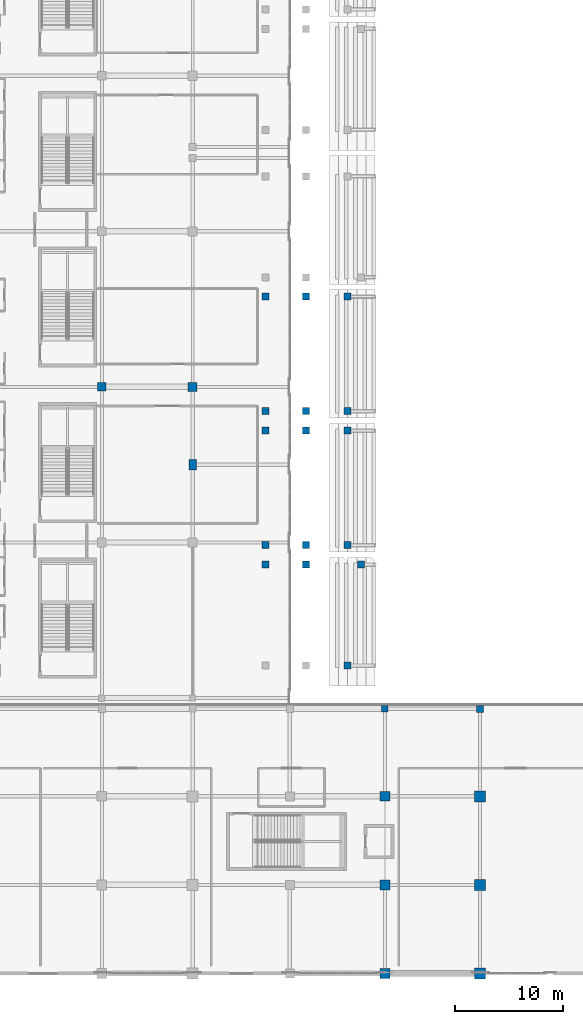
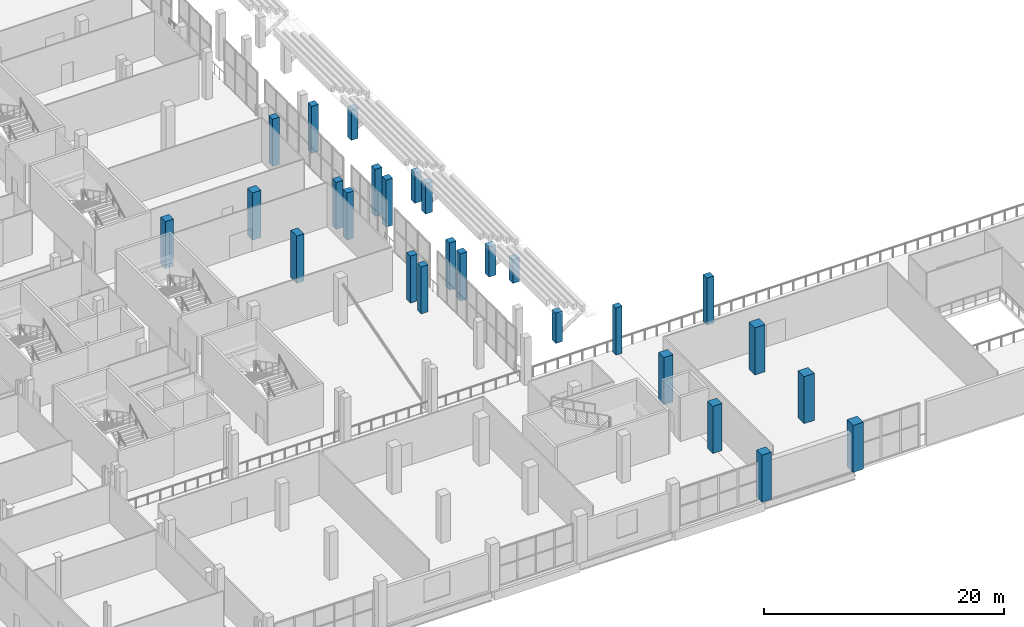
# One storey, part 4 of 142: 27 columns.
"""IFC4 building model written with IfcOpenShell, lengths in metres."""

from ifc_helpers import new_model, si_unit, direction, frame, origin, origin_2d, place, context, subcontext, project, spatial, rectangle, extrude, material, material_profile, profile_set, type_object, element, save


model = new_model("IFC4")

# Units and contexts
model_context = context("Model", 3, precision=1e-05, world=origin(), true_north=direction((0.0, 1.0)))
body_context = subcontext(model_context, "Body", "Model", "MODEL_VIEW")
ifc_project = project(units=[si_unit("LENGTHUNIT", "METRE"), si_unit("AREAUNIT", "SQUARE_METRE"), si_unit("VOLUMEUNIT", "CUBIC_METRE"), si_unit("PLANEANGLEUNIT", "RADIAN"), si_unit("MASSUNIT", "GRAM", prefix="KILO")], contexts=[model_context])

# Site, building, storey
site_placement = place(None, origin())
site = spatial("IfcSite", under=ifc_project, at=site_placement, CompositionType="ELEMENT")
building_placement = place(site_placement, origin())
building = spatial("IfcBuilding", under=site, at=building_placement, Name="Koshinbarg Plaza Stadium", CompositionType="ELEMENT")
storey_placement = place(building_placement, frame((0.0, 0.0, 10.199951171875)))
storey = spatial("IfcBuildingStorey", under=building, at=storey_placement, Name="L02", CompositionType="ELEMENT", Elevation=10.199951171875)

# Columns
ifc_material = material(Name="Concrete C40/50", Category="concrete")
ifc_material_profile_1 = material_profile(ifc_material, rectangle(XDim=0.60009765625, YDim=0.60009765625, at=origin_2d()), Name="RC 600x600")
ifc_profile_set_1 = profile_set([ifc_material_profile_1], Name="Concrete C40/50")
column_type_1 = type_object("IfcColumnType", Name="COL-RC-04", PredefinedType="COLUMN", material=ifc_profile_set_1)
column_1_placement = place(storey_placement, frame((72.39990234375, 24.5, 0.0), z_axis=(0.0, 0.0, 1.0), x_axis=(1.0, 0.0, 0.0)))
element("IfcColumn", 1, at=column_1_placement, inside=storey, type_object=column_type_1, Name="L02 column 10/D", PredefinedType="COLUMN", context=body_context, shape_type="SweptSolid", body=[
    extrude(rectangle(XDim=0.60009765625, YDim=0.60009765625, at=origin_2d()), origin(), (0.0, 0.0, 1.0), 4.800048828125),
])
ifc_material_profile_2 = material_profile(ifc_material, rectangle(XDim=0.64990234375, YDim=0.64990234375, at=origin_2d()), Name="RC 650x650")
ifc_profile_set_2 = profile_set([ifc_material_profile_2], Name="Concrete C40/50")
column_type_2 = type_object("IfcColumnType", Name="COL-RC-05", PredefinedType="COLUMN", material=ifc_profile_set_2)
column_2_placement = place(storey_placement, frame((81.199951171875, 24.5, 0.0), z_axis=(0.0, 0.0, 1.0), x_axis=(1.0, 0.0, 0.0)))
element("IfcColumn", 2, at=column_2_placement, inside=storey, type_object=column_type_2, Name="L02 column 11/D", PredefinedType="COLUMN", context=body_context, shape_type="SweptSolid", body=[
    extrude(rectangle(XDim=0.64990234375, YDim=0.64990234375, at=origin_2d()), origin(), (0.0, 0.0, 1.0), 4.800048828125),
])
column_3_placement = place(storey_placement, frame((68.919921875, 28.5, 0.0), z_axis=(0.0, 0.0, 1.0), x_axis=(1.0, 0.0, 0.0)))
element("IfcColumn", 3, at=column_3_placement, inside=storey, type_object=column_type_2, Name="L02 bowl raker column UT-W01-L-CF", PredefinedType="COLUMN", context=body_context, shape_type="SweptSolid", body=[
    extrude(rectangle(XDim=0.64990234375, YDim=0.64990234375, at=origin_2d()), origin(), (0.0, 0.0, 1.0), 3.082763671875),
])
column_4_placement = place(storey_placement, frame((70.169921875, 37.85009765625, 0.0), z_axis=(0.0, 0.0, 1.0), x_axis=(1.0, 0.0, 0.0)))
element("IfcColumn", 4, at=column_4_placement, inside=storey, type_object=column_type_2, Name="L02 bowl raker column UT-W01-R-CF", PredefinedType="COLUMN", context=body_context, shape_type="SweptSolid", body=[
    extrude(rectangle(XDim=0.64990234375, YDim=0.64990234375, at=origin_2d()), origin(), (0.0, 0.0, 1.0), 2.438720703125),
])
for number, where, z_axis, x_axis, name in (
    (5, (65.10009765625, 37.85009765625, 0.0), (0.0, 0.0, 1.0), (1.0, 0.0, 0.0), "L02 bowl raker column UT-W01-R-CM"),
    (6, (61.340087890625, 37.85009765625, 0.0), (0.0, 0.0, 1.0), (1.0, 0.0, 0.0), "L02 bowl raker column UT-W01-R-CB"),
):
    element("IfcColumn", number, at=place(storey_placement, frame(where, z_axis=z_axis, x_axis=x_axis)), inside=storey, type_object=column_type_2, Name=name, PredefinedType="COLUMN", context=body_context, shape_type="SweptSolid", body=[
        extrude(rectangle(XDim=0.64990234375, YDim=0.64990234375, at=origin_2d()), origin(), (0.0, 0.0, 1.0), 4.800048828125),
    ])
column_5_placement = place(storey_placement, frame((68.919921875, 39.64990234375, 0.0), z_axis=(0.0, 0.0, 1.0), x_axis=(1.0, 0.0, 0.0)))
element("IfcColumn", 7, at=column_5_placement, inside=storey, type_object=column_type_2, Name="L02 bowl raker column UT-W02-L-CF", PredefinedType="COLUMN", context=body_context, shape_type="SweptSolid", body=[
    extrude(rectangle(XDim=0.64990234375, YDim=0.64990234375, at=origin_2d()), origin(), (0.0, 0.0, 1.0), 3.082763671875),
])
for number, where, z_axis, x_axis, name in (
    (8, (65.10009765625, 39.64990234375, 0.0), (0.0, 0.0, 1.0), (1.0, 0.0, 0.0), "L02 bowl raker column UT-W02-L-CM"),
    (9, (61.340087890625, 39.64990234375, 0.0), (0.0, 0.0, 1.0), (1.0, 0.0, 0.0), "L02 bowl raker column UT-W02-L-CB"),
):
    element("IfcColumn", number, at=place(storey_placement, frame(where, z_axis=z_axis, x_axis=x_axis)), inside=storey, type_object=column_type_2, Name=name, PredefinedType="COLUMN", context=body_context, shape_type="SweptSolid", body=[
        extrude(rectangle(XDim=0.64990234375, YDim=0.64990234375, at=origin_2d()), origin(), (0.0, 0.0, 1.0), 4.800048828125),
    ])
column_6_placement = place(storey_placement, frame((68.919921875, 50.25, 0.0), z_axis=(0.0, 0.0, 1.0), x_axis=(1.0, 0.0, 0.0)))
element("IfcColumn", 10, at=column_6_placement, inside=storey, type_object=column_type_2, Name="L02 bowl raker column UT-W02-R-CF", PredefinedType="COLUMN", context=body_context, shape_type="SweptSolid", body=[
    extrude(rectangle(XDim=0.64990234375, YDim=0.64990234375, at=origin_2d()), origin(), (0.0, 0.0, 1.0), 3.082763671875),
])
for number, where, z_axis, x_axis, name in (
    (11, (65.10009765625, 50.25, 0.0), (0.0, 0.0, 1.0), (1.0, 0.0, 0.0), "L02 bowl raker column UT-W02-R-CM"),
    (12, (61.340087890625, 50.25, 0.0), (0.0, 0.0, 1.0), (1.0, 0.0, 0.0), "L02 bowl raker column UT-W02-R-CB"),
):
    element("IfcColumn", number, at=place(storey_placement, frame(where, z_axis=z_axis, x_axis=x_axis)), inside=storey, type_object=column_type_2, Name=name, PredefinedType="COLUMN", context=body_context, shape_type="SweptSolid", body=[
        extrude(rectangle(XDim=0.64990234375, YDim=0.64990234375, at=origin_2d()), origin(), (0.0, 0.0, 1.0), 4.800048828125),
    ])
column_7_placement = place(storey_placement, frame((68.919921875, 52.050048828125, 0.0), z_axis=(0.0, 0.0, 1.0), x_axis=(1.0, 0.0, 0.0)))
element("IfcColumn", 13, at=column_7_placement, inside=storey, type_object=column_type_2, Name="L02 bowl raker column UT-W03-L-CF", PredefinedType="COLUMN", context=body_context, shape_type="SweptSolid", body=[
    extrude(rectangle(XDim=0.64990234375, YDim=0.64990234375, at=origin_2d()), origin(), (0.0, 0.0, 1.0), 3.082763671875),
])
for number, where, z_axis, x_axis, name in (
    (14, (65.10009765625, 52.050048828125, 0.0), (0.0, 0.0, 1.0), (1.0, 0.0, 0.0), "L02 bowl raker column UT-W03-L-CM"),
    (15, (61.340087890625, 52.050048828125, 0.0), (0.0, 0.0, 1.0), (1.0, 0.0, 0.0), "L02 bowl raker column UT-W03-L-CB"),
):
    element("IfcColumn", number, at=place(storey_placement, frame(where, z_axis=z_axis, x_axis=x_axis)), inside=storey, type_object=column_type_2, Name=name, PredefinedType="COLUMN", context=body_context, shape_type="SweptSolid", body=[
        extrude(rectangle(XDim=0.64990234375, YDim=0.64990234375, at=origin_2d()), origin(), (0.0, 0.0, 1.0), 4.800048828125),
    ])
column_8_placement = place(storey_placement, frame((68.919921875, 62.64990234375, 0.0), z_axis=(0.0, 0.0, 1.0), x_axis=(1.0, 0.0, 0.0)))
element("IfcColumn", 16, at=column_8_placement, inside=storey, type_object=column_type_2, Name="L02 bowl raker column UT-W03-R-CF", PredefinedType="COLUMN", context=body_context, shape_type="SweptSolid", body=[
    extrude(rectangle(XDim=0.64990234375, YDim=0.64990234375, at=origin_2d()), origin(), (0.0, 0.0, 1.0), 3.082763671875),
])
for number, where, z_axis, x_axis, name in (
    (17, (65.10009765625, 62.64990234375, 0.0), (0.0, 0.0, 1.0), (1.0, 0.0, 0.0), "L02 bowl raker column UT-W03-R-CM"),
    (18, (61.340087890625, 62.64990234375, 0.0), (0.0, 0.0, 1.0), (1.0, 0.0, 0.0), "L02 bowl raker column UT-W03-R-CB"),
):
    element("IfcColumn", number, at=place(storey_placement, frame(where, z_axis=z_axis, x_axis=x_axis)), inside=storey, type_object=column_type_2, Name=name, PredefinedType="COLUMN", context=body_context, shape_type="SweptSolid", body=[
        extrude(rectangle(XDim=0.64990234375, YDim=0.64990234375, at=origin_2d()), origin(), (0.0, 0.0, 1.0), 4.800048828125),
    ])
ifc_material_profile_3 = material_profile(ifc_material, rectangle(XDim=0.800048828125, YDim=0.800048828125, at=origin_2d()), Name="RC 800x800")
ifc_profile_set_3 = profile_set([ifc_material_profile_3], Name="Concrete C40/50")
column_type_3 = type_object("IfcColumnType", Name="COL-RC-08", PredefinedType="COLUMN", material=ifc_profile_set_3)
column_9_placement = place(storey_placement, frame((46.199951171875, 54.300048828125, 0.0), z_axis=(0.0, 0.0, 1.0), x_axis=(1.0, 0.0, 0.0)))
element("IfcColumn", 19, at=column_9_placement, inside=storey, type_object=column_type_3, Name="L02 column 7/H", PredefinedType="COLUMN", context=body_context, shape_type="SweptSolid", body=[
    extrude(rectangle(XDim=0.800048828125, YDim=0.800048828125, at=origin_2d()), origin(), (0.0, 0.0, 1.0), 4.800048828125),
])
ifc_material_profile_4 = material_profile(ifc_material, rectangle(XDim=0.85009765625, YDim=0.85009765625, at=origin_2d()), Name="RC 850x850")
ifc_profile_set_4 = profile_set([ifc_material_profile_4], Name="Concrete C40/50")
column_type_4 = type_object("IfcColumnType", Name="COL-RC-09", PredefinedType="COLUMN", material=ifc_profile_set_4)
column_10_placement = place(storey_placement, frame((54.60009765625, 54.300048828125, 0.0), z_axis=(0.0, 0.0, 1.0), x_axis=(1.0, 0.0, 0.0)))
element("IfcColumn", 20, at=column_10_placement, inside=storey, type_object=column_type_4, Name="L02 column 8/H", PredefinedType="COLUMN", context=body_context, shape_type="SweptSolid", body=[
    extrude(rectangle(XDim=0.85009765625, YDim=0.85009765625, at=origin_2d()), origin(), (0.0, 0.0, 1.0), 4.800048828125),
])
ifc_material_profile_5 = material_profile(ifc_material, rectangle(XDim=0.89990234375, YDim=0.89990234375, at=origin_2d()), Name="RC 900x900")
ifc_profile_set_5 = profile_set([ifc_material_profile_5], Name="Concrete C40/50")
column_type_5 = type_object("IfcColumnType", Name="COL-RC-10", PredefinedType="COLUMN", material=ifc_profile_set_5)
for number, where, z_axis, x_axis, name in (
    (21, (72.39990234375, 0.0, 0.0), (0.0, 0.0, 1.0), (1.0, 0.0, 0.0), "L02 column 10/A"),
    (22, (72.39990234375, 8.199951171875, 0.0), (0.0, 0.0, 1.0), (1.0, 0.0, 0.0), "L02 column 10/B"),
    (23, (72.39990234375, 16.39990234375, 0.0), (0.0, 0.0, 1.0), (1.0, 0.0, 0.0), "L02 column 10/C"),
):
    element("IfcColumn", number, at=place(storey_placement, frame(where, z_axis=z_axis, x_axis=x_axis)), inside=storey, type_object=column_type_5, Name=name, PredefinedType="COLUMN", context=body_context, shape_type="SweptSolid", body=[
        extrude(rectangle(XDim=0.89990234375, YDim=0.89990234375, at=origin_2d()), origin(), (0.0, 0.0, 1.0), 4.800048828125),
    ])
ifc_material_profile_6 = material_profile(ifc_material, rectangle(XDim=1.0, YDim=1.0, at=origin_2d()), Name="RC 1000x1000")
ifc_profile_set_6 = profile_set([ifc_material_profile_6], Name="Concrete C40/50")
column_type_6 = type_object("IfcColumnType", Name="COL-RC-11", PredefinedType="COLUMN", material=ifc_profile_set_6)
for number, where, z_axis, x_axis, name in (
    (24, (81.199951171875, 0.0, 0.0), (0.0, 0.0, 1.0), (1.0, 0.0, 0.0), "L02 column 11/A"),
    (25, (81.199951171875, 8.199951171875, 0.0), (0.0, 0.0, 1.0), (1.0, 0.0, 0.0), "L02 column 11/B"),
    (26, (81.199951171875, 16.39990234375, 0.0), (0.0, 0.0, 1.0), (1.0, 0.0, 0.0), "L02 column 11/C"),
):
    element("IfcColumn", number, at=place(storey_placement, frame(where, z_axis=z_axis, x_axis=x_axis)), inside=storey, type_object=column_type_6, Name=name, PredefinedType="COLUMN", context=body_context, shape_type="SweptSolid", body=[
        extrude(rectangle(XDim=1.0, YDim=1.0, at=origin_2d()), origin(), (0.0, 0.0, 1.0), 4.800048828125),
    ])
ifc_material_profile_7 = material_profile(ifc_material, rectangle(XDim=0.699951171875, YDim=1.0, at=origin_2d()), Name="RC 700x1000")
ifc_profile_set_7 = profile_set([ifc_material_profile_7], Name="Concrete C40/50")
column_type_7 = type_object("IfcColumnType", Name="COL-RC-13", PredefinedType="COLUMN", material=ifc_profile_set_7)
column_11_placement = place(storey_placement, frame((54.60009765625, 47.10009765625, 0.0), z_axis=(0.0, 0.0, 1.0), x_axis=(1.0, 0.0, 0.0)))
element("IfcColumn", 27, at=column_11_placement, inside=storey, type_object=column_type_7, Name="L02 column 8/G", PredefinedType="COLUMN", context=body_context, shape_type="SweptSolid", body=[
    extrude(rectangle(XDim=0.699951171875, YDim=1.0, at=origin_2d()), origin(), (0.0, 0.0, 1.0), 4.800048828125),
])

save(model, "model.ifc")
